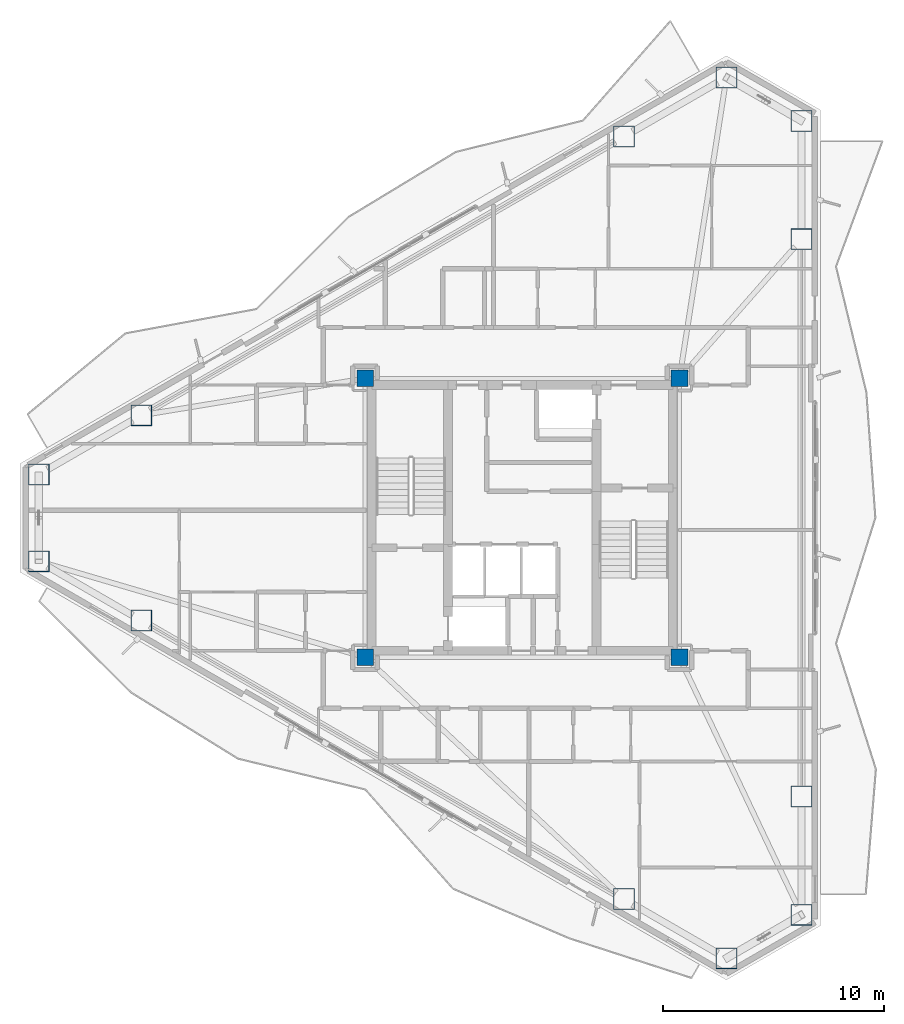
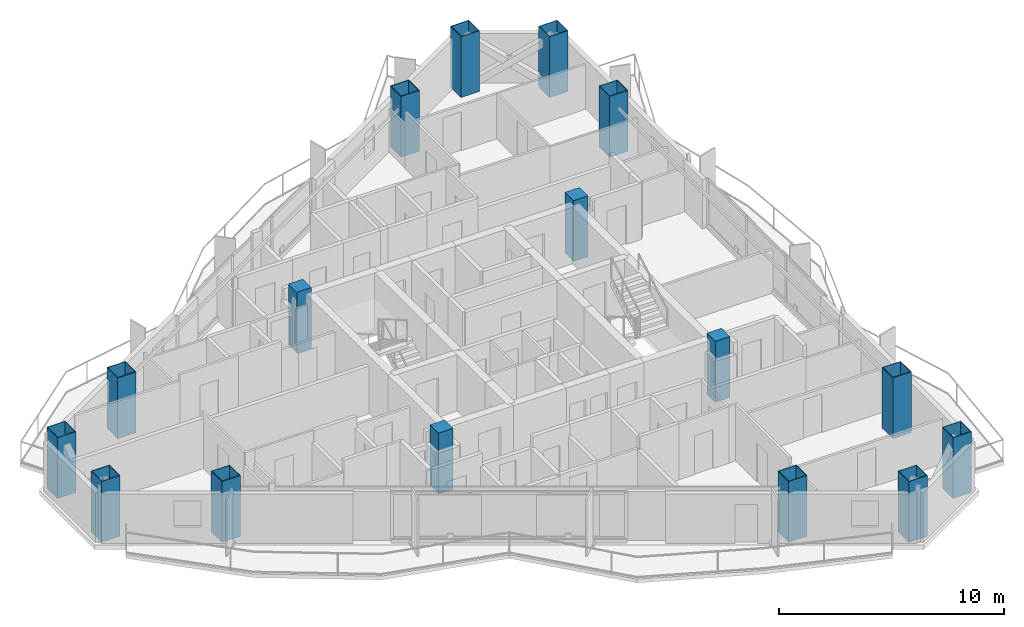
# One storey, part 1 of 19: 16 columns.
"""IFC4 building model written with IfcOpenShell, lengths in metres."""

from ifc_helpers import new_model, si_unit, direction, frame, origin, origin_2d, place, context, subcontext, project, spatial, rectangle, hollow_rectangle, extrude, material, material_profile, profile_set, type_object, element, save


model = new_model("IFC4")

# Units and contexts
model_context = context("Model", 3, precision=1e-05, world=origin(), true_north=direction((0.0, 1.0)))
body_context = subcontext(model_context, "Body", "Model", "MODEL_VIEW")
ifc_project = project(units=[si_unit("LENGTHUNIT", "METRE"), si_unit("AREAUNIT", "SQUARE_METRE"), si_unit("VOLUMEUNIT", "CUBIC_METRE"), si_unit("PLANEANGLEUNIT", "RADIAN"), si_unit("MASSUNIT", "GRAM", prefix="KILO")], contexts=[model_context])

# Site, building, storey
site_placement = place(None, origin())
site = spatial("IfcSite", under=ifc_project, at=site_placement, CompositionType="ELEMENT")
building_placement = place(site_placement, origin())
building = spatial("IfcBuilding", under=site, at=building_placement, Name="Mersakhor Tower and Convention Hall", CompositionType="ELEMENT")
storey_placement = place(building_placement, frame((0.0, 0.0, 144.300048828125)))
storey = spatial("IfcBuildingStorey", under=building, at=storey_placement, Name="L40", CompositionType="ELEMENT", Elevation=144.300048828125)

# Columns
ifc_material_1 = material(Name="Concrete C60/75 in S460M steel box", Category="concrete")
ifc_material_profile_1 = material_profile(ifc_material_1, hollow_rectangle(XDim=0.949951171875, YDim=0.949951171875, WallThickness=0.028076171875, at=origin_2d()), Name="SHS 950x950x28")
ifc_profile_set_1 = profile_set([ifc_material_profile_1], Name="Concrete C60/75 in S460M steel box")
column_type_1 = type_object("IfcColumnType", Name="COL-CFT-950", PredefinedType="COLUMN", material=ifc_profile_set_1)
for number, where, z_axis, x_axis, name in (
    (1, (7.160400390625, 28.71240234375, 0.0), (0.0, 0.0, 1.0), (1.0, 0.0, 0.0), "L40 Perimeter Mega-Column MC-01"),
    (2, (11.788330078125, 31.38427734375, 0.0), (0.0, 0.0, 1.0), (1.0, 0.0, 0.0), "L40 Perimeter Mega-Column MC-02"),
    (3, (33.592529296875, 43.972900390625, 0.0), (0.0, 0.0, 1.0), (1.0, 0.0, 0.0), "L40 Perimeter Mega-Column MC-03"),
    (4, (38.220458984375, 46.644775390625, 0.0), (0.0, 0.0, 1.0), (1.0, 0.0, 0.0), "L40 Perimeter Mega-Column MC-04"),
    (5, (41.619140625, 44.6826171875, 0.0), (0.0, 0.0, 1.0), (1.0, 0.0, 0.0), "L40 Perimeter Mega-Column MC-05"),
    (6, (41.619140625, 39.338623046875, 0.0), (0.0, 0.0, 1.0), (1.0, 0.0, 0.0), "L40 Perimeter Mega-Column MC-06"),
    (7, (41.619140625, 14.161376953125, 0.0), (0.0, 0.0, 1.0), (1.0, 0.0, 0.0), "L40 Perimeter Mega-Column MC-07"),
    (8, (41.619140625, 8.8173828125, 0.0), (0.0, 0.0, 1.0), (1.0, 0.0, 0.0), "L40 Perimeter Mega-Column MC-08"),
    (9, (38.220458984375, 6.855224609375, 0.0), (0.0, 0.0, 1.0), (1.0, 0.0, 0.0), "L40 Perimeter Mega-Column MC-09"),
    (10, (33.592529296875, 9.527099609375, 0.0), (0.0, 0.0, 1.0), (1.0, 0.0, 0.0), "L40 Perimeter Mega-Column MC-10"),
    (11, (11.788330078125, 22.11572265625, 0.0), (0.0, 0.0, 1.0), (1.0, 0.0, 0.0), "L40 Perimeter Mega-Column MC-11"),
    (12, (7.160400390625, 24.78759765625, 0.0), (0.0, 0.0, 1.0), (1.0, 0.0, 0.0), "L40 Perimeter Mega-Column MC-12"),
):
    element("IfcColumn", number, at=place(storey_placement, frame(where, z_axis=z_axis, x_axis=x_axis)), inside=storey, type_object=column_type_1, Name=name, PredefinedType="COLUMN", context=body_context, shape_type="SweptSolid", body=[
        extrude(hollow_rectangle(XDim=0.949951171875, YDim=0.949951171875, WallThickness=0.028076171875, at=origin_2d()), origin(), (0.0, 0.0, 1.0), 3.300048828125),
    ])
ifc_material_2 = material(Name="Concrete C50/60", Category="concrete")
ifc_material_profile_2 = material_profile(ifc_material_2, rectangle(XDim=0.75, YDim=0.75, at=origin_2d()), Name="RC 750x750")
ifc_profile_set_2 = profile_set([ifc_material_profile_2], Name="Concrete C50/60")
column_type_2 = type_object("IfcColumnType", Name="COL-RC-750", PredefinedType="COLUMN", material=ifc_profile_set_2)
for number, where, z_axis, x_axis, name in (
    (13, (21.89990234375, 20.449951171875, 0.0), (0.0, 0.0, 1.0), (1.0, 0.0, 0.0), "L40 Core Corner Column CC-1"),
    (14, (21.89990234375, 33.050048828125, 0.0), (0.0, 0.0, 1.0), (1.0, 0.0, 0.0), "L40 Core Corner Column CC-2"),
    (15, (36.10009765625, 33.050048828125, 0.0), (0.0, 0.0, 1.0), (1.0, 0.0, 0.0), "L40 Core Corner Column CC-3"),
    (16, (36.10009765625, 20.449951171875, 0.0), (0.0, 0.0, 1.0), (1.0, 0.0, 0.0), "L40 Core Corner Column CC-4"),
):
    element("IfcColumn", number, at=place(storey_placement, frame(where, z_axis=z_axis, x_axis=x_axis)), inside=storey, type_object=column_type_2, Name=name, PredefinedType="COLUMN", context=body_context, shape_type="SweptSolid", body=[
        extrude(rectangle(XDim=0.75, YDim=0.75, at=origin_2d()), origin(), (0.0, 0.0, 1.0), 3.300048828125),
    ])

save(model, "model.ifc")
